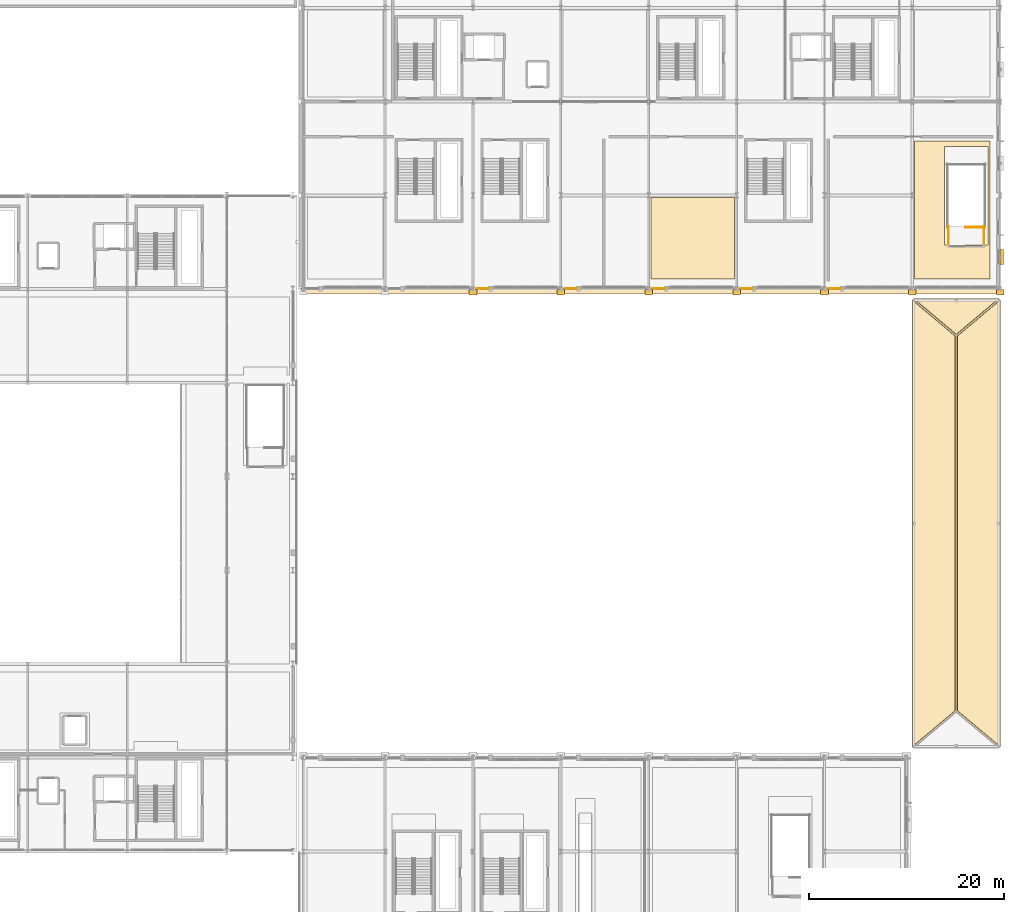
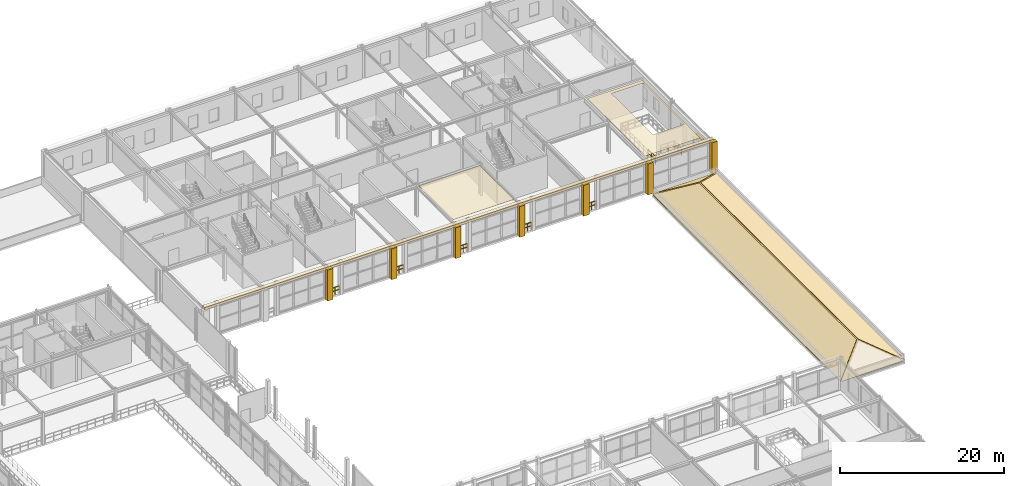
# One storey, part 118 of 125: 14 coverings, 9 railings, 1 shading device.
"""IFC4 building model written with IfcOpenShell, lengths in metres."""

from ifc_helpers import new_model, si_unit, direction, frame, origin, origin_2d, place, context, subcontext, project, spatial, polyline, rectangle, outline, extrude, material, layer, layer_set, type_object, element, save


model = new_model("IFC4")

# Units and contexts
model_context = context("Model", 3, precision=1e-05, world=origin(), true_north=direction((0.0, 1.0)))
body_context = subcontext(model_context, "Body", "Model", "MODEL_VIEW")
ifc_project = project(units=[si_unit("LENGTHUNIT", "METRE"), si_unit("AREAUNIT", "SQUARE_METRE"), si_unit("VOLUMEUNIT", "CUBIC_METRE"), si_unit("PLANEANGLEUNIT", "RADIAN"), si_unit("MASSUNIT", "GRAM", prefix="KILO")], contexts=[model_context])

# Site, building, storey
site_placement = place(None, origin())
site = spatial("IfcSite", under=ifc_project, at=site_placement, CompositionType="ELEMENT")
building_placement = place(site_placement, origin())
building = spatial("IfcBuilding", under=site, at=building_placement, Name="Myrtia Square Station", CompositionType="ELEMENT")
storey_placement = place(building_placement, frame((0.0, 0.0, 6.0)))
storey = spatial("IfcBuildingStorey", under=building, at=storey_placement, Name="L01", CompositionType="ELEMENT", Elevation=6.0)

# Coverings
ifc_material_1 = material(Name="Pentelic marble ashlar", Category="masonry")
ifc_layer_1 = layer(ifc_material_1, 0.4599609375, Name="Pentelic marble ashlar")
ifc_layer_set_1 = layer_set([ifc_layer_1], Name="Pentelic marble ashlar")
covering_type_1 = type_object("IfcCoveringType", Name="COV-ARCH-ASHLAR", PredefinedType="CLADDING", material=ifc_layer_set_1)
for number, where, z_axis, x_axis, name in (
    (1, (135.0, 86.080078125, -0.0400390625), (0.0, 0.0, 1.0), (1.0, 0.0, 0.0), "Classical Pentelic ashlar pilaster 069"),
    (2, (144.0, 86.080078125, -0.0400390625), (0.0, 0.0, 1.0), (1.0, 0.0, 0.0), "Classical Pentelic ashlar pilaster 078"),
    (3, (153.0, 86.080078125, -0.0400390625), (0.0, 0.0, 1.0), (1.0, 0.0, 0.0), "Classical Pentelic ashlar pilaster 087"),
    (4, (162.0, 86.080078125, -0.0400390625), (0.0, 0.0, 1.0), (1.0, 0.0, 0.0), "Classical Pentelic ashlar pilaster 096"),
    (5, (171.0, 86.080078125, -0.0400390625), (0.0, 0.0, 1.0), (1.0, 0.0, 0.0), "Classical Pentelic ashlar pilaster 106"),
    (6, (180.0, 86.080078125, -0.0400390625), (0.0, 0.0, 1.0), (1.0, 0.0, 0.0), "Classical Pentelic ashlar pilaster 116"),
    (7, (189.0, 86.080078125, -0.0400390625), (0.0, 0.0, 1.0), (1.0, 0.0, 0.0), "Classical Pentelic ashlar pilaster 125"),
):
    element("IfcCovering", number, at=place(storey_placement, frame(where, z_axis=z_axis, x_axis=x_axis)), inside=storey, type_object=covering_type_1, Name=name, PredefinedType="CLADDING", context=body_context, shape_type="SweptSolid", body=[
        extrude(rectangle(XDim=0.780029296875, YDim=0.56005859375, at=origin_2d()), origin(), (0.0, 0.0, 1.0), 4.590087890625),
    ])
ifc_material_2 = material(Name="Gypsum plasterboard")
ifc_layer_2 = layer(ifc_material_2, 0.034912109375, Name="Gypsum plasterboard")
ifc_layer_set_2 = layer_set([ifc_layer_2], Name="Gypsum plasterboard")
covering_type_2 = type_object("IfcCoveringType", Name="COV-CEIL-ACOUSTIC", PredefinedType="CEILING", material=ifc_layer_set_2)
covering_1_placement = place(storey_placement, frame((0.0, 0.0, 4.514892578125)))
element("IfcCovering", 8, at=covering_1_placement, inside=storey, type_object=covering_type_2, Name="Acoustic coffer ceiling L01-17", PredefinedType="CEILING", context=body_context, shape_type="SweptSolid", body=[
    extrude(outline(polyline([(187.949951171875, 101.550048828125), (187.949951171875, 87.449951171875), (180.219970703125, 87.449951171875), (180.219970703125, 95.949951171875), (180.218994140625, 95.9716796875), (180.2158203125, 95.992919921875), (180.214111328125, 96.0), (180.2158203125, 96.007080078125), (180.218994140625, 96.0283203125), (180.219970703125, 96.050048828125), (180.219970703125, 101.550048828125), (187.949951171875, 101.550048828125)]), holes=[polyline([(183.2900390625, 101.0), (183.2900390625, 90.929931640625), (187.75, 90.929931640625), (187.75, 101.0), (183.2900390625, 101.0)])]), origin(), (0.0, 0.0, 1.0), 0.03515625),
])
ifc_material_3 = material(Name="Acoustic European oak timber", Category="wood")
ifc_layer_3 = layer(ifc_material_3, 0.044921875, Name="Acoustic European oak timber")
ifc_layer_set_3 = layer_set([ifc_layer_3], Name="Acoustic European oak timber")
covering_type_3 = type_object("IfcCoveringType", Name="COV-CEIL-OAK", PredefinedType="CEILING", material=ifc_layer_set_3)
covering_2_placement = place(storey_placement, frame((0.0, 0.0, 4.5048828125)))
element("IfcCovering", 9, at=covering_2_placement, inside=storey, type_object=covering_type_3, Name="Acoustic coffer ceiling L01-16", PredefinedType="CEILING", context=body_context, shape_type="SweptSolid", body=[
    extrude(outline(polyline([(153.219970703125, 87.449951171875), (153.219970703125, 95.780029296875), (161.780029296875, 95.780029296875), (161.780029296875, 87.449951171875), (153.219970703125, 87.449951171875)])), origin(), (0.0, 0.0, 1.0), 0.045166015625),
])
ifc_layer_4 = layer(ifc_material_1, 0.47998046875, Name="Pentelic marble ashlar")
ifc_layer_set_4 = layer_set([ifc_layer_4], Name="Pentelic marble ashlar")
covering_type_4 = type_object("IfcCoveringType", Name="COV-CORNICE-ASHLAR", PredefinedType="MOLDING", material=ifc_layer_set_4)
covering_3_placement = place(storey_placement, frame((153.199951171875, 86.22998046875, 4.56005859375), z_axis=(0.0, 0.0, 1.0), x_axis=(1.0, 0.0, 0.0)))
element("IfcCovering", 10, at=covering_3_placement, inside=storey, type_object=covering_type_4, Name="Classical entablature cornice moulding 010", PredefinedType="MOLDING", context=body_context, shape_type="SweptSolid", body=[
    extrude(rectangle(XDim=71.60009765625, YDim=0.580078125, at=origin_2d()), origin(), (0.0, 0.0, 1.0), 0.360107421875),
])
ifc_material_4 = material(Name="Waterproof elastomeric membrane")
ifc_layer_5 = layer(ifc_material_4, 0.044921875, Name="Waterproof elastomeric membrane")
ifc_layer_set_5 = layer_set([ifc_layer_5], Name="Waterproof elastomeric membrane")
covering_type_5 = type_object("IfcCoveringType", Name="COV-MEMB-FLAT", PredefinedType="ROOFING", material=ifc_layer_set_5)
covering_4_placement = place(storey_placement, origin())
element("IfcCovering", 11, at=covering_4_placement, inside=storey, type_object=covering_type_5, Name="Flat roof waterproof membrane ROOF-L01-V3", PredefinedType="ROOFING", context=body_context, shape_type="SweptSolid", body=[
    extrude(outline(polyline([(180.25, 39.64990234375), (188.75, 39.64990234375), (188.75, 85.14990234375), (180.25, 85.14990234375), (180.25, 39.64990234375)])), origin(), (0.0, 0.0, 1.0), 0.044921875),
])
ifc_material_5 = material(Name="Terracotta clay barrel tiles", Category="masonry")
ifc_layer_6 = layer(ifc_material_5, 0.06494140625, Name="Terracotta clay barrel tiles")
ifc_layer_set_6 = layer_set([ifc_layer_6], Name="Terracotta clay barrel tiles")
covering_type_6 = type_object("IfcCoveringType", Name="COV-TILE-TERRACOTTA", PredefinedType="ROOFING", material=ifc_layer_set_6)
covering_5_placement = place(storey_placement, frame((179.968994140625, 85.2890625, 0.2490234375), z_axis=(-0.477898876301, 0.0, 0.878414858726), x_axis=(0.0, -1.0, 0.0)))
element("IfcCovering", 12, at=covering_5_placement, inside=storey, type_object=covering_type_6, Name="Terracotta clay barrel-tile roofing 095", PredefinedType="ROOFING", context=body_context, shape_type="SweptSolid", body=[
    extrude(outline(polyline([(0.0, 0.0), (45.778076171875, 0.0), (42.069580078125, 5.02586548715518), (3.708740234375, 5.02586548715518), (0.0, 0.0)])), origin(), (0.0, 0.0, -1.0), 0.06494140625),
])
covering_6_placement = place(storey_placement, frame((189.031005859375, 39.510986328125, 0.2490234375), z_axis=(0.477898876301, 0.0, 0.878414858726), x_axis=(0.0, 1.0, 0.0)))
element("IfcCovering", 13, at=covering_6_placement, inside=storey, type_object=covering_type_6, Name="Terracotta clay barrel-tile roofing 096", PredefinedType="ROOFING", context=body_context, shape_type="SweptSolid", body=[
    extrude(outline(polyline([(0.0, 0.0), (45.778076171875, 0.0), (42.0693359375, 5.02586548715518), (3.70849609375, 5.02586548715518), (0.0, 0.0)])), origin(), (0.0, 0.0, -1.0), 0.06494140625),
])
covering_7_placement = place(storey_placement, frame((188.867919921875, 85.435302734375, 0.24658203125), z_axis=(0.0, 0.543605548136, 0.839340817568), x_axis=(-1.0, 0.0, 0.0)))
element("IfcCovering", 14, at=covering_7_placement, inside=storey, type_object=covering_type_6, Name="Terracotta clay barrel-tile roofing 098", PredefinedType="ROOFING", context=body_context, shape_type="SweptSolid", body=[
    extrude(outline(polyline([(0.0, 0.0), (8.73583984375, 0.0), (4.367919921875, 4.371222316020496), (0.0, 0.0)])), origin(), (0.0, 0.0, -1.0), 0.06494140625),
])

# Railings
ifc_material_6 = material(Name="Wrought iron", Category="steel")
railing_type = type_object("IfcRailingType", Name="RL-INT-GUARD-1100", PredefinedType="BALUSTRADE", material=ifc_material_6)
railing_1_placement = place(storey_placement, frame((187.39990234375, 92.75, 0.0)))
element("IfcRailing", 15, at=railing_1_placement, inside=storey, type_object=railing_type, Name="L01 ST72 top well guard 1", PredefinedType="BALUSTRADE", context=body_context, shape_type="SweptSolid", body=[
    extrude(rectangle(XDim=0.048095703125, YDim=0.048095703125, at=origin_2d()), frame((-0.03466796875, 0.0, 1.09619140625), z_axis=(-1.0, 0.0, 0.0), x_axis=(0.0, -1.0, 0.0)), (0.0, 0.0, 1.0), 0.91064453125),
    extrude(rectangle(XDim=0.048095703125, YDim=0.048095703125, at=origin_2d()), frame((-0.03466796875, 0.0, 0.58251953125), z_axis=(-1.0, 0.0, 0.0), x_axis=(0.0, -1.0, 0.0)), (0.0, 0.0, 1.0), 0.91064453125),
    extrude(rectangle(XDim=0.048095703125, YDim=0.048095703125, at=origin_2d()), frame((-1.0146484375, 0.0, 1.09619140625), z_axis=(-1.0, 0.0, 0.0), x_axis=(0.0, -1.0, 0.0)), (0.0, 0.0, 1.0), 0.91064453125),
    extrude(rectangle(XDim=0.048095703125, YDim=0.048095703125, at=origin_2d()), frame((-1.0146484375, 0.0, 0.58251953125), z_axis=(-1.0, 0.0, 0.0), x_axis=(0.0, -1.0, 0.0)), (0.0, 0.0, 1.0), 0.91064453125),
    extrude(rectangle(XDim=0.0439453125, YDim=0.0439453125, at=origin_2d()), origin(), (0.0, 0.0, 1.0), 1.1201171875),
    extrude(rectangle(XDim=0.0439453125, YDim=0.0439453125, at=origin_2d()), frame((-0.97998046875, 0.0, 0.0)), (0.0, 0.0, 1.0), 1.1201171875),
    extrude(rectangle(XDim=0.0439453125, YDim=0.0439453125, at=origin_2d()), frame((-1.9599609375, 0.0, 0.0)), (0.0, 0.0, 1.0), 1.1201171875),
])
for number, where, name in (
    (16, (187.35009765625, 91.0, 0.0), "L01 ST72 top well guard 5"),
    (17, (183.68994140625, 91.0, 0.0), "L01 ST72 top well guard 6"),
):
    element("IfcRailing", number, at=place(storey_placement, frame(where)), inside=storey, type_object=railing_type, Name=name, PredefinedType="BALUSTRADE", context=body_context, shape_type="SweptSolid", body=[
        extrude(rectangle(XDim=0.048095703125, YDim=0.048095703125, at=origin_2d()), frame((0.0, 0.03466796875, 1.09619140625), z_axis=(0.0, 1.0, 0.0), x_axis=(-1.0, 0.0, 0.0)), (0.0, 0.0, 1.0), 0.830810546875),
        extrude(rectangle(XDim=0.048095703125, YDim=0.048095703125, at=origin_2d()), frame((0.0, 0.03466796875, 0.58251953125), z_axis=(0.0, 1.0, 0.0), x_axis=(-1.0, 0.0, 0.0)), (0.0, 0.0, 1.0), 0.830810546875),
        extrude(rectangle(XDim=0.048095703125, YDim=0.048095703125, at=origin_2d()), frame((0.0, 0.9345703125, 1.09619140625), z_axis=(0.0, 1.0, 0.0), x_axis=(-1.0, 0.0, 0.0)), (0.0, 0.0, 1.0), 0.830810546875),
        extrude(rectangle(XDim=0.048095703125, YDim=0.048095703125, at=origin_2d()), frame((0.0, 0.9345703125, 0.58251953125), z_axis=(0.0, 1.0, 0.0), x_axis=(-1.0, 0.0, 0.0)), (0.0, 0.0, 1.0), 0.830810546875),
        extrude(rectangle(XDim=0.0439453125, YDim=0.0439453125, at=origin_2d()), origin(), (0.0, 0.0, 1.0), 1.1201171875),
        extrude(rectangle(XDim=0.0439453125, YDim=0.0439453125, at=origin_2d()), frame((0.0, 0.89990234375, 0.0)), (0.0, 0.0, 1.0), 1.1201171875),
        extrude(rectangle(XDim=0.0439453125, YDim=0.0439453125, at=origin_2d()), frame((0.0, 1.800048828125, 0.0)), (0.0, 0.0, 1.0), 1.1201171875),
    ])
railing_2_placement = place(storey_placement, frame((185.4599609375, 92.719970703125, 0.0)))
element("IfcRailing", 18, at=railing_2_placement, inside=storey, type_object=railing_type, Name="Interchange stair 8 well return guard", PredefinedType="BALUSTRADE", context=body_context, shape_type="SweptSolid", body=[
    extrude(rectangle(XDim=0.048095703125, YDim=0.048095703125, at=origin_2d()), frame((0.03466796875, 0.0, 1.09619140625), z_axis=(1.0, 0.0, 0.0), x_axis=(0.0, 1.0, 0.0)), (0.0, 0.0, 1.0), 0.9306640625),
    extrude(rectangle(XDim=0.048095703125, YDim=0.048095703125, at=origin_2d()), frame((0.03466796875, 0.0, 0.58251953125), z_axis=(1.0, 0.0, 0.0), x_axis=(0.0, 1.0, 0.0)), (0.0, 0.0, 1.0), 0.9306640625),
    extrude(rectangle(XDim=0.048095703125, YDim=0.048095703125, at=origin_2d()), frame((1.03466796875, 0.0, 1.09619140625), z_axis=(1.0, 0.0, 0.0), x_axis=(0.0, 1.0, 0.0)), (0.0, 0.0, 1.0), 0.9306640625),
    extrude(rectangle(XDim=0.048095703125, YDim=0.048095703125, at=origin_2d()), frame((1.03466796875, 0.0, 0.58251953125), z_axis=(1.0, 0.0, 0.0), x_axis=(0.0, 1.0, 0.0)), (0.0, 0.0, 1.0), 0.9306640625),
    extrude(rectangle(XDim=0.0439453125, YDim=0.0439453125, at=origin_2d()), origin(), (0.0, 0.0, 1.0), 1.1201171875),
    extrude(rectangle(XDim=0.0439453125, YDim=0.0439453125, at=origin_2d()), frame((1.0, 0.0, 0.0)), (0.0, 0.0, 1.0), 1.1201171875),
    extrude(rectangle(XDim=0.0439453125, YDim=0.0439453125, at=origin_2d()), frame((2.0, 0.0, 0.0)), (0.0, 0.0, 1.0), 1.1201171875),
])
for number, where, name in (
    (19, (135.449951171875, 86.47998046875, 0.0), "Perimeter slab edge balustrade L01-038"),
    (20, (144.449951171875, 86.47998046875, 0.0), "Perimeter slab edge balustrade L01-039"),
    (21, (153.449951171875, 86.47998046875, 0.0), "Perimeter slab edge balustrade L01-040"),
    (22, (162.449951171875, 86.47998046875, 0.0), "Perimeter slab edge balustrade L01-041"),
    (23, (171.449951171875, 86.47998046875, 0.0), "Perimeter slab edge balustrade L01-042"),
):
    element("IfcRailing", number, at=place(storey_placement, frame(where)), inside=storey, type_object=railing_type, Name=name, PredefinedType="BALUSTRADE", context=body_context, shape_type="SweptSolid", body=[
        extrude(rectangle(XDim=0.048095703125, YDim=0.048095703125, at=origin_2d()), frame((0.03466796875, 0.0, 1.09619140625), z_axis=(1.0, 0.0, 0.0), x_axis=(0.0, 1.0, 0.0)), (0.0, 0.0, 1.0), 0.5556640625),
        extrude(rectangle(XDim=0.048095703125, YDim=0.048095703125, at=origin_2d()), frame((0.03466796875, 0.0, 0.58251953125), z_axis=(1.0, 0.0, 0.0), x_axis=(0.0, 1.0, 0.0)), (0.0, 0.0, 1.0), 0.5556640625),
        extrude(rectangle(XDim=0.048095703125, YDim=0.048095703125, at=origin_2d()), frame((0.65966796875, 0.0, 1.09619140625), z_axis=(1.0, 0.0, 0.0), x_axis=(0.0, 1.0, 0.0)), (0.0, 0.0, 1.0), 0.5556640625),
        extrude(rectangle(XDim=0.048095703125, YDim=0.048095703125, at=origin_2d()), frame((0.65966796875, 0.0, 0.58251953125), z_axis=(1.0, 0.0, 0.0), x_axis=(0.0, 1.0, 0.0)), (0.0, 0.0, 1.0), 0.5556640625),
        extrude(rectangle(XDim=0.0439453125, YDim=0.0439453125, at=origin_2d()), origin(), (0.0, 0.0, 1.0), 1.1201171875),
        extrude(rectangle(XDim=0.0439453125, YDim=0.0439453125, at=origin_2d()), frame((0.625, 0.0, 0.0)), (0.0, 0.0, 1.0), 1.1201171875),
        extrude(rectangle(XDim=0.0439453125, YDim=0.0439453125, at=origin_2d()), frame((1.25, 0.0, 0.0)), (0.0, 0.0, 1.0), 1.1201171875),
    ])

# Shading device
ifc_material_7 = material(Name="Dark bronze anodised aluminium", Category="aluminium")
shading_device_type = type_object("IfcShadingDeviceType", Name="SHD-JALOUSIE-BRONZE", PredefinedType="JALOUSIE", material=ifc_material_7)
shading_device_placement = place(storey_placement, frame((189.14990234375, 89.68505859375, 2.83984375), z_axis=(0.0, 0.0, 1.0), x_axis=(0.0, 1.0, 0.0)))
element("IfcShadingDevice", 24, at=shading_device_placement, inside=storey, type_object=shading_device_type, Name="Mediterranean bronze solar louvre SHL-051", PredefinedType="JALOUSIE", context=body_context, shape_type="SweptSolid", body=[
    extrude(rectangle(XDim=1.510009765625, YDim=0.35009765625, at=origin_2d()), origin(), (0.0, 0.0, 1.0), 0.219970703125),
])

save(model, "model.ifc")
